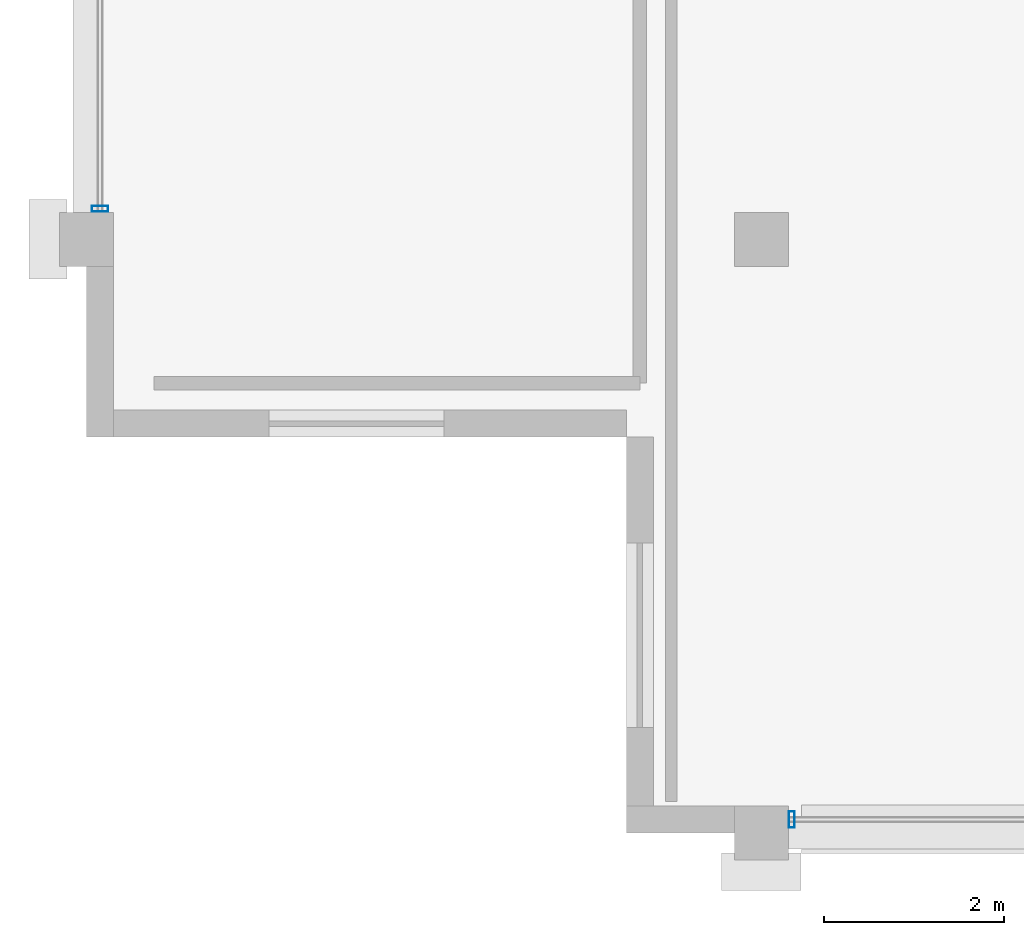
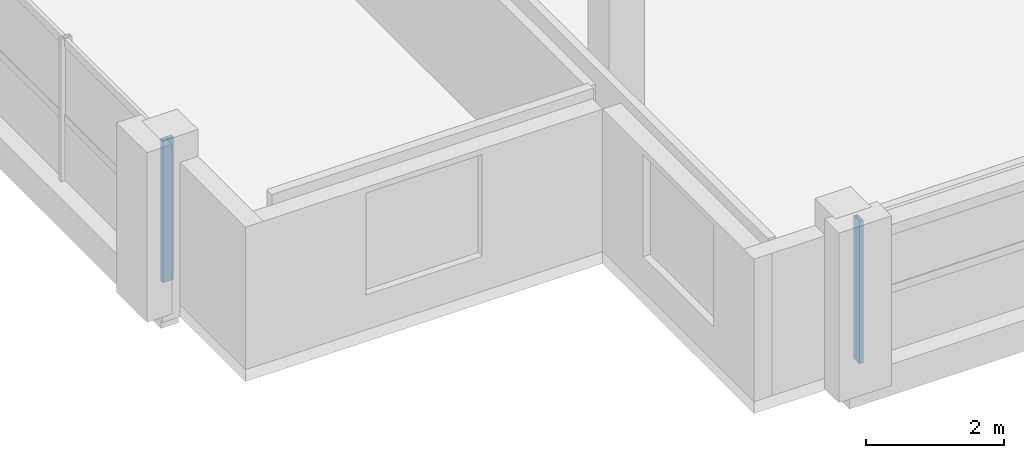
# One storey, part 2 of 24: 2 members, 2 elements without a shape of their own.
"""IFC4 building model written with IfcOpenShell, lengths in metres."""

from ifc_helpers import new_model, si_unit, direction, frame, origin, origin_2d, place, context, subcontext, project, spatial, hollow_rectangle, extrude, material, material_profile, profile_set, type_object, element, aggregate, save


model = new_model("IFC4")

# Units and contexts
model_context = context("Model", 3, precision=1e-05, world=origin(), true_north=direction((0.0, 1.0)))
body_context = subcontext(model_context, "Body", "Model", "MODEL_VIEW")
ifc_project = project(units=[si_unit("LENGTHUNIT", "METRE"), si_unit("AREAUNIT", "SQUARE_METRE"), si_unit("VOLUMEUNIT", "CUBIC_METRE"), si_unit("PLANEANGLEUNIT", "RADIAN"), si_unit("MASSUNIT", "GRAM", prefix="KILO")], contexts=[model_context])

# Site, building, storey
site_placement = place(None, origin())
site = spatial("IfcSite", under=ifc_project, at=site_placement, CompositionType="ELEMENT")
building_placement = place(site_placement, origin())
building = spatial("IfcBuilding", under=site, at=building_placement, Name="Akrevak Sports Hall", CompositionType="ELEMENT")
storey_placement = place(building_placement, frame((0.0, 0.0, 63.300048828125)))
storey = spatial("IfcBuildingStorey", under=building, at=storey_placement, Name="L16", CompositionType="ELEMENT", Elevation=63.300048828125)

# Curtain wall, member
ifc_material_1 = material(Name="Anodized Bronze Aluminium & Low-E Glass", Category="aluminium")
curtain_wall_type = type_object("IfcCurtainWallType", Name="ARC-CW-TWR-72x30", PredefinedType="NOTDEFINED", material=ifc_material_1)
curtain_wall_1_placement = place(storey_placement, origin())
curtain_wall_1 = element("IfcCurtainWall", 1, at=curtain_wall_1_placement, inside=storey, type_object=curtain_wall_type, Name="Curtain Wall CW-L16-S02", PredefinedType="NOTDEFINED")
ifc_material_2 = material(Name="Anodized Bronze Aluminium", Category="aluminium")
ifc_material_profile = material_profile(ifc_material_2, hollow_rectangle(XDim=0.06494140625, YDim=0.179931640625, WallThickness=0.00390625, at=origin_2d()), Name="CWM 65x180", Category="aluminium")
ifc_profile_set = profile_set([ifc_material_profile], Name="Anodized Bronze Aluminium")
member_type = type_object("IfcMemberType", Name="ARC-CWM-65x140", PredefinedType="MULLION", material=ifc_profile_set)
member_1_placement = place(storey_placement, frame((60.340087890625, 35.550048828125, 0.0), z_axis=(0.0, 0.0, 1.0), x_axis=(1.0, 0.0, 0.0)))
member_1 = element("IfcMember", 2, at=member_1_placement, type_object=member_type, Name="Curtain Wall Mullion CW-L16-S02-M1", PredefinedType="MULLION", context=body_context, shape_type="SweptSolid", body=[
    extrude(hollow_rectangle(XDim=0.06494140625, YDim=0.179931640625, WallThickness=0.00390625, at=origin_2d()), origin(), (0.0, 0.0, 1.0), 2.530029296875),
])
aggregate(curtain_wall_1, [member_1])

curtain_wall_2_placement = place(storey_placement, origin())
curtain_wall_2 = element("IfcCurtainWall", 3, at=curtain_wall_2_placement, inside=storey, type_object=curtain_wall_type, Name="Curtain Wall CW-L16-W29", PredefinedType="NOTDEFINED")
member_2_placement = place(storey_placement, frame((52.64990234375, 42.340087890625, 0.0), z_axis=(0.0, 0.0, 1.0), x_axis=(0.0, -1.0, 0.0)))
member_2 = element("IfcMember", 4, at=member_2_placement, type_object=member_type, Name="Curtain Wall Mullion CW-L16-W29-M3", PredefinedType="MULLION", context=body_context, shape_type="SweptSolid", body=[
    extrude(hollow_rectangle(XDim=0.06494140625, YDim=0.179931640625, WallThickness=0.00390625, at=origin_2d()), origin(), (0.0, 0.0, 1.0), 2.530029296875),
])
aggregate(curtain_wall_2, [member_2])

save(model, "model.ifc")
